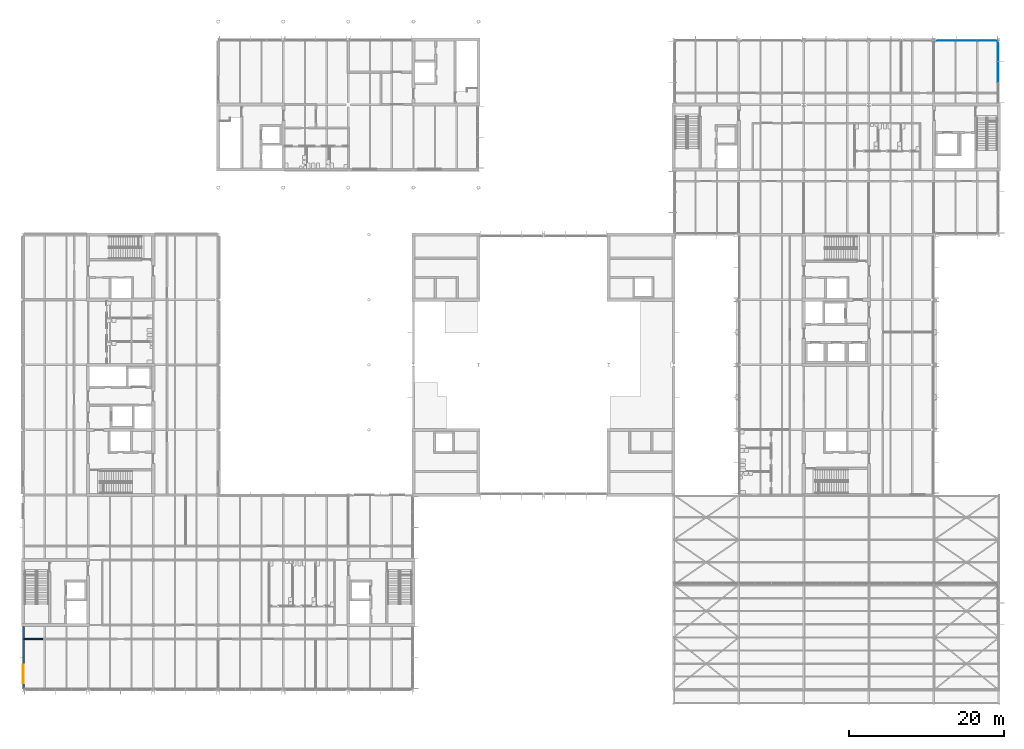
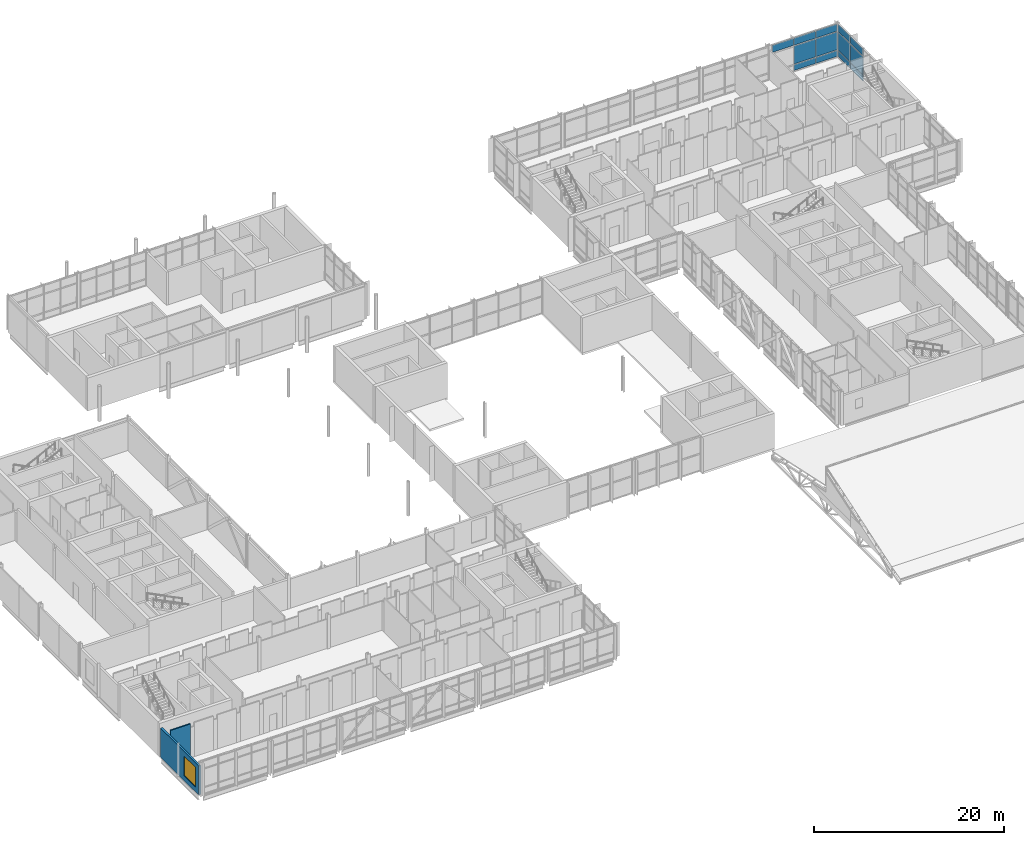
# One storey, part 46 of 89: 13 plates, 2 walls, 1 window, 1 opening, 2 elements without a shape of their own.
"""IFC4 building model written with IfcOpenShell, lengths in metres."""

from ifc_helpers import new_model, si_unit, direction, frame, frame_2d, origin, origin_2d, place, context, subcontext, project, spatial, rectangle, extrude, material, layer, layer_set, type_object, element, fill, aggregate, save


model = new_model("IFC4")

# Units and contexts
model_context = context("Model", 3, precision=1e-05, world=origin(), true_north=direction((0.0, 1.0)))
body_context = subcontext(model_context, "Body", "Model", "MODEL_VIEW")
ifc_project = project(units=[si_unit("LENGTHUNIT", "METRE"), si_unit("AREAUNIT", "SQUARE_METRE"), si_unit("VOLUMEUNIT", "CUBIC_METRE"), si_unit("PLANEANGLEUNIT", "RADIAN"), si_unit("MASSUNIT", "GRAM", prefix="KILO")], contexts=[model_context])

# Site, building, storey
site_placement = place(None, origin())
site = spatial("IfcSite", under=ifc_project, at=site_placement, CompositionType="ELEMENT")
building_placement = place(site_placement, origin())
building = spatial("IfcBuilding", under=site, at=building_placement, Name="Hlaing Beacon Police Headquarters", CompositionType="ELEMENT")
storey_placement = place(building_placement, frame((0.0, 0.0, 9.89990234375)))
storey = spatial("IfcBuildingStorey", under=building, at=storey_placement, Name="L02", CompositionType="ELEMENT", Elevation=9.89990234375)

# Curtain wall, plates
ifc_material_1 = material(Name="Aluminium frame with solar control glazing", Category="aluminium")
curtain_wall_type_1 = type_object("IfcCurtainWallType", Name="Structural glazed gable wall 8.06 x 4.37", PredefinedType="NOTDEFINED", material=ifc_material_1)
curtain_wall_1_placement = place(storey_placement, origin())
curtain_wall_1 = element("IfcCurtainWall", 1, at=curtain_wall_1_placement, inside=storey, type_object=curtain_wall_type_1, Name="ENV-CW-L02-N022", PredefinedType="NOTDEFINED")
ifc_material_2 = material(Name="Insulated aluminium spandrel", Category="aluminium")
ifc_layer_1 = layer(ifc_material_2, 0.0400390625)
ifc_layer_set_1 = layer_set([ifc_layer_1], Name="Insulated aluminium spandrel")
plate_type_1 = type_object("IfcPlateType", Name="Insulated spandrel panel 40", PredefinedType="CURTAIN_PANEL", material=ifc_layer_set_1)
plate_1_placement = place(storey_placement, frame((132.885986328125, 92.25, 0.10009765625), z_axis=(0.0, 0.0, 1.0), x_axis=(-1.0, 0.0, 0.0)))
plate_1 = element("IfcPlate", 2, at=plate_1_placement, type_object=plate_type_1, Name="CW-L02-N022 panel 1.1", PredefinedType="CURTAIN_PANEL", context=body_context, shape_type="SweptSolid", body=[
    extrude(rectangle(XDim=2.568115234375, YDim=0.0400390625, at=origin_2d()), origin(), (0.0, 0.0, 1.0), 0.75),
])
plate_2_placement = place(storey_placement, frame((130.2177734375, 92.25, 0.10009765625), z_axis=(0.0, 0.0, 1.0), x_axis=(-1.0, 0.0, 0.0)))
plate_2 = element("IfcPlate", 3, at=plate_2_placement, type_object=plate_type_1, Name="CW-L02-N022 panel 2.1", PredefinedType="CURTAIN_PANEL", context=body_context, shape_type="SweptSolid", body=[
    extrude(rectangle(XDim=2.608154296875, YDim=0.0400390625, at=origin_2d()), origin(), (0.0, 0.0, 1.0), 0.75),
])

ifc_material_3 = material(Name="Aluminium frame with solar control glazing", Category="aluminium")
curtain_wall_type_2 = type_object("IfcCurtainWallType", Name="Structural glazed gable wall 8.02 x 4.37", PredefinedType="NOTDEFINED", material=ifc_material_3)
curtain_wall_2_placement = place(storey_placement, origin())
curtain_wall_2 = element("IfcCurtainWall", 4, at=curtain_wall_2_placement, inside=storey, type_object=curtain_wall_type_2, Name="ENV-CW-L02-E021", PredefinedType="NOTDEFINED")
ifc_material_4 = material(Name="Insulated aluminium spandrel", Category="aluminium")
ifc_layer_2 = layer(ifc_material_4, 0.06005859375)
ifc_layer_set_2 = layer_set([ifc_layer_2], Name="Insulated aluminium spandrel")
plate_type_2 = type_object("IfcPlateType", Name="Insulated spandrel panel 60", PredefinedType="CURTAIN_PANEL", material=ifc_layer_set_2)
plate_3_placement = place(storey_placement, frame((134.25, 88.211181640625, 0.10009765625), z_axis=(0.0, 0.0, 1.0), x_axis=(0.0, 1.0, 0.0)))
plate_3 = element("IfcPlate", 5, at=plate_3_placement, type_object=plate_type_2, Name="CW-L02-E021 panel 2.1", PredefinedType="CURTAIN_PANEL", context=body_context, shape_type="SweptSolid", body=[
    extrude(rectangle(XDim=2.593994140625, YDim=0.06005859375, at=origin_2d()), origin(), (0.0, 0.0, 1.0), 0.75),
])
plate_4_placement = place(storey_placement, frame((134.25, 90.865234375, 0.10009765625), z_axis=(0.0, 0.0, 1.0), x_axis=(0.0, 1.0, 0.0)))
plate_4 = element("IfcPlate", 6, at=plate_4_placement, type_object=plate_type_2, Name="CW-L02-E021 panel 3.1", PredefinedType="CURTAIN_PANEL", context=body_context, shape_type="SweptSolid", body=[
    extrude(rectangle(XDim=2.553955078125, YDim=0.06005859375, at=origin_2d()), origin(), (0.0, 0.0, 1.0), 0.75),
])
ifc_material_5 = material(Name="Laminated solar control glazing", Category="glass")
ifc_layer_3 = layer(ifc_material_5, 0.031982421875)
ifc_layer_set_3 = layer_set([ifc_layer_3], Name="Laminated solar control glazing")
plate_type_3 = type_object("IfcPlateType", Name="Laminated glazing panel 32", PredefinedType="CURTAIN_PANEL", material=ifc_layer_set_3)
plate_5_placement = place(storey_placement, frame((134.25, 88.211181640625, 3.35009765625), z_axis=(0.0, 0.0, 1.0), x_axis=(0.0, 1.0, 0.0)))
plate_5 = element("IfcPlate", 7, at=plate_5_placement, type_object=plate_type_3, Name="CW-L02-E021 panel 2.3", PredefinedType="CURTAIN_PANEL", context=body_context, shape_type="SweptSolid", body=[
    extrude(rectangle(XDim=2.593994140625, YDim=0.031982421875, at=origin_2d()), origin(), (0.0, 0.0, 1.0), 0.919921875),
])
plate_6_placement = place(storey_placement, frame((134.25, 90.865234375, 3.35009765625), z_axis=(0.0, 0.0, 1.0), x_axis=(0.0, 1.0, 0.0)))
plate_6 = element("IfcPlate", 8, at=plate_6_placement, type_object=plate_type_3, Name="CW-L02-E021 panel 3.3", PredefinedType="CURTAIN_PANEL", context=body_context, shape_type="SweptSolid", body=[
    extrude(rectangle(XDim=2.553955078125, YDim=0.031982421875, at=origin_2d()), origin(), (0.0, 0.0, 1.0), 0.919921875),
])

# Plate
plate_7_placement = place(storey_placement, frame((132.885986328125, 92.25, 3.35009765625), z_axis=(0.0, 0.0, 1.0), x_axis=(-1.0, 0.0, 0.0)))
plate_7 = element("IfcPlate", 9, at=plate_7_placement, type_object=plate_type_3, Name="CW-L02-N022 panel 1.3", PredefinedType="CURTAIN_PANEL", context=body_context, shape_type="SweptSolid", body=[
    extrude(rectangle(XDim=2.568115234375, YDim=0.031982421875, at=origin_2d()), origin(), (0.0, 0.0, 1.0), 0.919921875),
])

plate_8_placement = place(storey_placement, frame((130.2177734375, 92.25, 3.35009765625), z_axis=(0.0, 0.0, 1.0), x_axis=(-1.0, 0.0, 0.0)))
plate_8 = element("IfcPlate", 10, at=plate_8_placement, type_object=plate_type_3, Name="CW-L02-N022 panel 2.3", PredefinedType="CURTAIN_PANEL", context=body_context, shape_type="SweptSolid", body=[
    extrude(rectangle(XDim=2.608154296875, YDim=0.031982421875, at=origin_2d()), origin(), (0.0, 0.0, 1.0), 0.919921875),
])

plate_9_placement = place(storey_placement, frame((127.549560546875, 92.25, 3.35009765625), z_axis=(0.0, 0.0, 1.0), x_axis=(-1.0, 0.0, 0.0)))
plate_9 = element("IfcPlate", 11, at=plate_9_placement, type_object=plate_type_3, Name="CW-L02-N022 panel 3.3", PredefinedType="CURTAIN_PANEL", context=body_context, shape_type="SweptSolid", body=[
    extrude(rectangle(XDim=2.568115234375, YDim=0.031982421875, at=origin_2d()), origin(), (0.0, 0.0, 1.0), 0.919921875),
])

ifc_material_6 = material(Name="Laminated solar control glazing", Category="glass")
ifc_layer_4 = layer(ifc_material_6, 0.0439453125)
ifc_layer_set_4 = layer_set([ifc_layer_4], Name="Laminated solar control glazing")
plate_type_4 = type_object("IfcPlateType", Name="Laminated glazing panel 44", PredefinedType="CURTAIN_PANEL", material=ifc_layer_set_4)
plate_10_placement = place(storey_placement, frame((134.25, 88.211181640625, 0.9501953125), z_axis=(0.0, 0.0, 1.0), x_axis=(0.0, 1.0, 0.0)))
plate_10 = element("IfcPlate", 12, at=plate_10_placement, type_object=plate_type_4, Name="CW-L02-E021 panel 2.2", PredefinedType="CURTAIN_PANEL", context=body_context, shape_type="SweptSolid", body=[
    extrude(rectangle(XDim=2.593994140625, YDim=0.0439453125, at=origin_2d()), origin(), (0.0, 0.0, 1.0), 2.300048828125),
])

plate_11_placement = place(storey_placement, frame((134.25, 90.865234375, 0.9501953125), z_axis=(0.0, 0.0, 1.0), x_axis=(0.0, 1.0, 0.0)))
plate_11 = element("IfcPlate", 13, at=plate_11_placement, type_object=plate_type_4, Name="CW-L02-E021 panel 3.2", PredefinedType="CURTAIN_PANEL", context=body_context, shape_type="SweptSolid", body=[
    extrude(rectangle(XDim=2.553955078125, YDim=0.0439453125, at=origin_2d()), origin(), (0.0, 0.0, 1.0), 2.300048828125),
])

aggregate(curtain_wall_2, [plate_3, plate_10, plate_5, plate_4, plate_11, plate_6])

plate_12_placement = place(storey_placement, frame((132.885986328125, 92.25, 0.9501953125), z_axis=(0.0, 0.0, 1.0), x_axis=(-1.0, 0.0, 0.0)))
plate_12 = element("IfcPlate", 14, at=plate_12_placement, type_object=plate_type_4, Name="CW-L02-N022 panel 1.2", PredefinedType="CURTAIN_PANEL", context=body_context, shape_type="SweptSolid", body=[
    extrude(rectangle(XDim=2.568115234375, YDim=0.0439453125, at=origin_2d()), origin(), (0.0, 0.0, 1.0), 2.300048828125),
])

plate_13_placement = place(storey_placement, frame((130.2177734375, 92.25, 0.9501953125), z_axis=(0.0, 0.0, 1.0), x_axis=(-1.0, 0.0, 0.0)))
plate_13 = element("IfcPlate", 15, at=plate_13_placement, type_object=plate_type_4, Name="CW-L02-N022 panel 2.2", PredefinedType="CURTAIN_PANEL", context=body_context, shape_type="SweptSolid", body=[
    extrude(rectangle(XDim=2.608154296875, YDim=0.0439453125, at=origin_2d()), origin(), (0.0, 0.0, 1.0), 2.300048828125),
])

aggregate(curtain_wall_1, [plate_1, plate_12, plate_7, plate_2, plate_13, plate_8, plate_9])

# Wall
ifc_material_7 = material(Name="Gypsum board partition")
ifc_layer_5 = layer(ifc_material_7, 0.14990234375)
ifc_layer_set_5 = layer_set([ifc_layer_5], Name="Gypsum board partition")
wall_type_1 = type_object("IfcWallType", Name="Corridor wall EI 30 150", PredefinedType="PARTITIONING", material=ifc_layer_set_5)
wall_1_placement = place(storey_placement, frame((8.550048828125, 15.0, 0.0), z_axis=(0.0, 0.0, 1.0), x_axis=(1.0, 0.0, 0.0)))
element("IfcWall", 16, at=wall_1_placement, inside=storey, type_object=wall_type_1, Name="Corridor wall EI 30 150", PredefinedType="PARTITIONING", context=body_context, shape_type="SweptSolid", body=[
    extrude(rectangle(XDim=2.419921875, YDim=0.14990234375, at=frame_2d((1.2099609375, 0.0))), origin(), (0.0, 0.0, 1.0), 4.3701171875),
])

# Wall, opening, window
ifc_material_8 = material(Name="Concrete C40/50 precast ribbed cladding", Category="concrete")
ifc_layer_6 = layer(ifc_material_8, 0.25)
ifc_layer_set_6 = layer_set([ifc_layer_6], Name="Concrete C40/50 precast ribbed cladding")
wall_type_2 = type_object("IfcWallType", Name="Precast ribbed wall 250", PredefinedType="SOLIDWALL", material=ifc_layer_set_6)
wall_2_placement = place(storey_placement, frame((8.425048828125, 16.60009765625, 0.0), z_axis=(0.0, 0.0, 1.0), x_axis=(0.0, -1.0, 0.0)))
wall_2 = element("IfcWall", 17, at=wall_2_placement, inside=storey, type_object=wall_type_2, Name="External wall L02 W027", PredefinedType="SOLIDWALL", context=body_context, shape_type="SweptSolid", body=[
    extrude(rectangle(XDim=8.02978515625, YDim=0.25, at=frame_2d((4.014892578125, 0.0))), origin(), (0.0, 0.0, 1.0), 3.74609375),
])
opening_placement = place(wall_2_placement, frame((4.89990234375, 0.0, 0.60009765625)))
opening = element("IfcOpeningElement", 18, at=opening_placement, cuts=wall_2, Name="Opening WN32", PredefinedType="OPENING", context=body_context, shape_type="SweptSolid", body=[
    extrude(rectangle(XDim=2.39990234375, YDim=2.550048828125, at=frame_2d((1.199951171875, 1.27490234375))), frame((0.0, 0.135009765625, 0.0), z_axis=(0.0, -1.0, 0.0), x_axis=(1.0, 0.0, 0.0)), (0.0, 0.0, 1.0), 0.27001953125),
])
ifc_material_9 = material(Name="Aluminium frame with solar control glazing", Category="aluminium")
window_type = type_object("IfcWindowType", Name="Window 2400x2550 frame 80", PartitioningType="SINGLE_PANEL", PredefinedType="WINDOW", material=ifc_material_9)
window_placement = place(opening_placement, origin())
window = element("IfcWindow", 19, at=window_placement, inside=storey, type_object=window_type, Name="Window L02 WA", OverallHeight=2.550048828125, OverallWidth=2.39990234375, PartitioningType="SINGLE_PANEL", PredefinedType="WINDOW", context=body_context, shape_type="SweptSolid", body=[
    extrude(rectangle(XDim=2.39990234375, YDim=2.550048828125, at=frame_2d((1.199951171875, 1.27490234375))), frame((0.0, 0.0400390625, 0.0), z_axis=(0.0, -1.0, 0.0), x_axis=(1.0, 0.0, 0.0)), (0.0, 0.0, 1.0), 0.080078125),
])
fill(opening, window)

save(model, "model.ifc")
